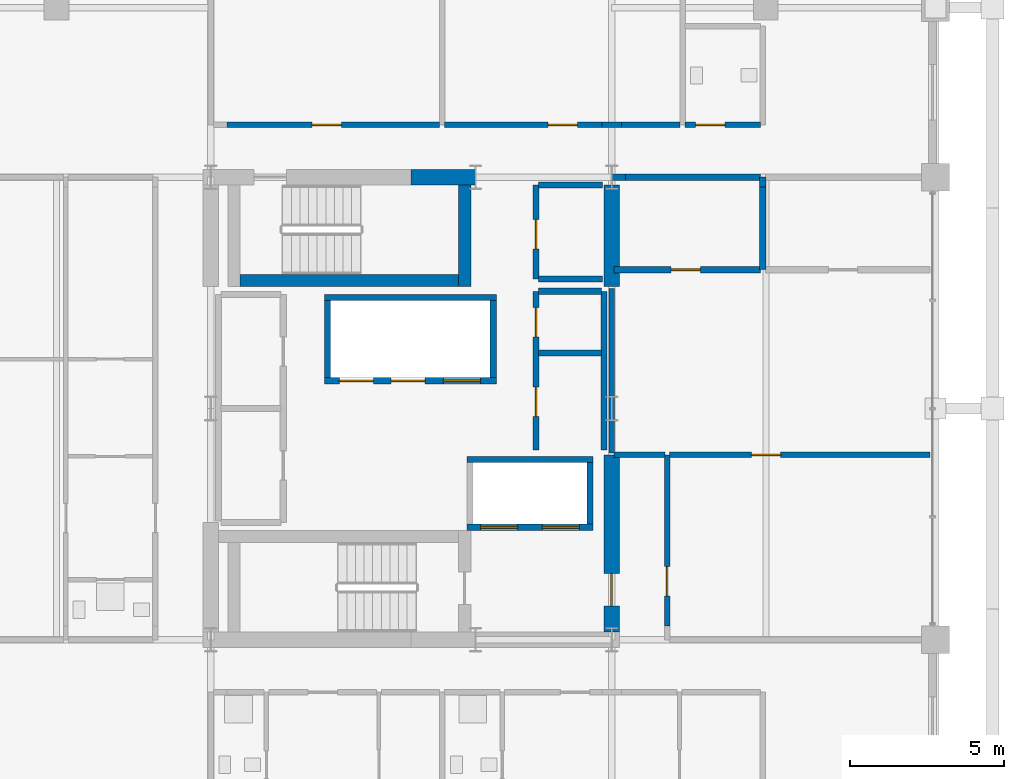
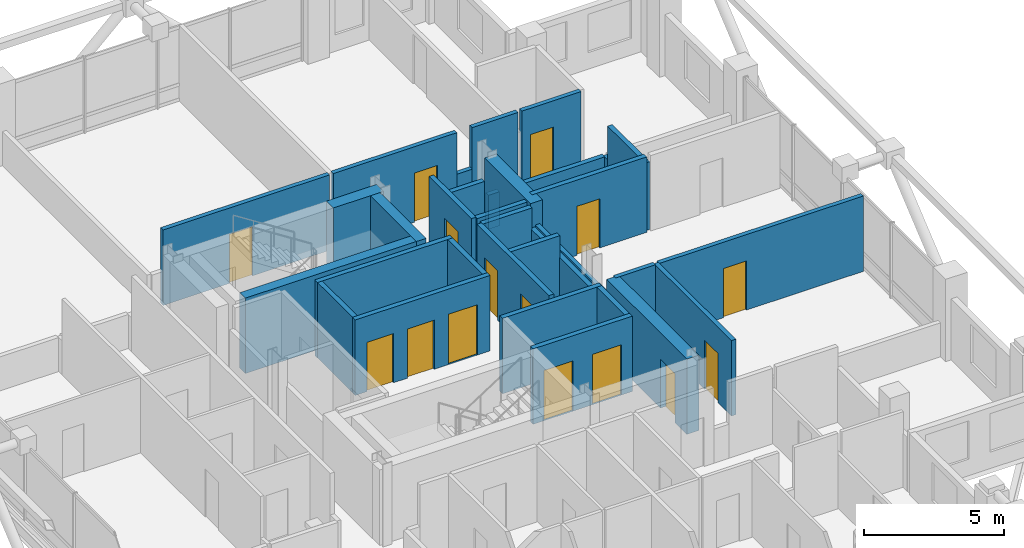
# One storey, part 21 of 25: 33 walls, 15 doors, 15 openings.
"""IFC4 building model written with IfcOpenShell, lengths in metres."""

from ifc_helpers import new_model, si_unit, direction, frame, frame_2d, origin, place, context, subcontext, project, spatial, rectangle, extrude, material, layer, layer_set, type_object, element, fill, save


model = new_model("IFC4")

# Units and contexts
model_context = context("Model", 3, precision=1e-05, world=origin(), true_north=direction((0.0, 1.0)))
body_context = subcontext(model_context, "Body", "Model", "MODEL_VIEW")
ifc_project = project(units=[si_unit("LENGTHUNIT", "METRE"), si_unit("AREAUNIT", "SQUARE_METRE"), si_unit("VOLUMEUNIT", "CUBIC_METRE"), si_unit("PLANEANGLEUNIT", "RADIAN"), si_unit("MASSUNIT", "GRAM", prefix="KILO")], contexts=[model_context])

# Site, building, storey
site_placement = place(None, origin())
site = spatial("IfcSite", under=ifc_project, at=site_placement, CompositionType="ELEMENT")
building_placement = place(site_placement, origin())
building = spatial("IfcBuilding", under=site, at=building_placement, Name="Barlavira Tower and Art Museum", CompositionType="ELEMENT")
storey_placement = place(building_placement, frame((0.0, 0.0, 301.5)))
storey = spatial("IfcBuildingStorey", under=building, at=storey_placement, Name="L79", CompositionType="ELEMENT", Elevation=301.5)

# Wall
ifc_material_1 = material(Name="Concrete C60", Category="concrete")
ifc_layer_1 = layer(ifc_material_1, 0.5, Name="Concrete C60")
ifc_layer_set_1 = layer_set([ifc_layer_1], Name="Concrete C60")
wall_type_1 = type_object("IfcWallType", Name="Core Structural Shear Wall 500 Concrete C60", PredefinedType="SHEAR", material=ifc_layer_set_1)
wall_1_placement = place(storey_placement, frame((0.0, 7.5, 0.0), z_axis=(0.0, 0.0, 1.0), x_axis=(1.0, 0.0, 0.0)))
element("IfcWall", 1, at=wall_1_placement, inside=storey, type_object=wall_type_1, Name="L79 Core Shear Wall CS-EN", PredefinedType="SHEAR", context=body_context, shape_type="SweptSolid", body=[
    extrude(rectangle(XDim=2.080078125, YDim=0.5, at=frame_2d((1.0400390625, 0.0))), origin(), (0.0, 0.0, 1.0), 3.300048828125),
])

# Wall, opening, door
wall_2_placement = place(storey_placement, frame((6.5, -7.25, 0.0), z_axis=(0.0, 0.0, 1.0), x_axis=(0.0, 1.0, 0.0)))
wall_2 = element("IfcWall", 2, at=wall_2_placement, inside=storey, type_object=wall_type_1, Name="L79 Core Shear Wall CS-E1", PredefinedType="SHEAR", context=body_context, shape_type="SweptSolid", body=[
    extrude(rectangle(XDim=5.75, YDim=0.5, at=frame_2d((2.875, 0.0))), origin(), (0.0, 0.0, 1.0), 3.300048828125),
])
opening_1_placement = place(wall_2_placement, frame((0.85009765625, 0.0, 0.0)))
opening_1 = element("IfcOpeningElement", 3, at=opening_1_placement, cuts=wall_2, Name="Opening FD-90", PredefinedType="OPENING", context=body_context, shape_type="SweptSolid", body=[
    extrude(rectangle(XDim=1.050048828125, YDim=2.14990234375, at=frame_2d((0.52490234375, 1.074951171875))), frame((0.0, 0.260009765625, 0.0), z_axis=(0.0, -1.0, 0.0), x_axis=(1.0, 0.0, 0.0)), (0.0, 0.0, 1.0), 0.52001953125),
])
ifc_material_2 = material(Name="Brushed stainless steel", Category="steel")
door_type_1 = type_object("IfcDoorType", Name="Stair and Refuge Fire Door 1050x2150 FD90S", OperationType="NOTDEFINED", PredefinedType="DOOR", material=ifc_material_2)
door_1_placement = place(opening_1_placement, origin())
door_1 = element("IfcDoor", 4, at=door_1_placement, inside=storey, type_object=door_type_1, Name="L79 Firefighting Lobby Entry Fire Door", OperationType="SINGLE_SWING_LEFT", OverallHeight=2.14990234375, OverallWidth=1.050048828125, PredefinedType="DOOR", context=body_context, shape_type="SweptSolid", body=[
    extrude(rectangle(XDim=1.050048828125, YDim=2.14990234375, at=frame_2d((0.52490234375, 1.074951171875))), frame((0.0, 0.02490234375, 0.0), z_axis=(0.0, -1.0, 0.0), x_axis=(1.0, 0.0, 0.0)), (0.0, 0.0, 1.0), 0.050048828125),
])
fill(opening_1, door_1)

# Wall
wall_3_placement = place(storey_placement, frame((6.5, 3.949951171875, 0.0), z_axis=(0.0, 0.0, 1.0), x_axis=(0.0, 1.0, 0.0)))
element("IfcWall", 5, at=wall_3_placement, inside=storey, type_object=wall_type_1, Name="L79 Core Shear Wall CS-E2", PredefinedType="SHEAR", context=body_context, shape_type="SweptSolid", body=[
    extrude(rectangle(XDim=3.300048828125, YDim=0.5, at=frame_2d((1.64990234375, 0.0))), origin(), (0.0, 0.0, 1.0), 3.300048828125),
])

# Wall, openings, doors
ifc_material_3 = material(Name="Autoclaved aerated concrete masonry", Category="masonry")
ifc_layer_2 = layer(ifc_material_3, 0.199951171875, Name="Autoclaved aerated concrete masonry")
ifc_layer_set_2 = layer_set([ifc_layer_2], Name="Autoclaved aerated concrete masonry")
wall_type_2 = type_object("IfcWallType", Name="Fire Compartment and Shaft Wall 200", PredefinedType="SOLIDWALL", material=ifc_layer_set_2)
wall_4_placement = place(storey_placement, frame((-2.820068359375, 0.89990234375, 0.0), z_axis=(0.0, 0.0, 1.0), x_axis=(1.0, 0.0, 0.0)))
wall_4 = element("IfcWall", 6, at=wall_4_placement, inside=storey, type_object=wall_type_2, Name="L79 High-Rise & Service Lift Front Wall", PredefinedType="SOLIDWALL", context=body_context, shape_type="SweptSolid", body=[
    extrude(rectangle(XDim=5.580078125, YDim=0.199951171875, at=frame_2d((2.7900390625, 0.0))), origin(), (0.0, 0.0, 1.0), 3.300048828125),
])
opening_2_placement = place(wall_4_placement, frame((0.489990234375, 0.0, 0.0)))
opening_2 = element("IfcOpeningElement", 7, at=opening_2_placement, cuts=wall_4, Name="Opening LD-P", PredefinedType="OPENING", context=body_context, shape_type="SweptSolid", body=[
    extrude(rectangle(XDim=1.10009765625, YDim=2.14990234375, at=frame_2d((0.550048828125, 1.074951171875))), frame((0.0, 0.10986328125, 0.0), z_axis=(0.0, -1.0, 0.0), x_axis=(1.0, 0.0, 0.0)), (0.0, 0.0, 1.0), 0.219970703125),
])
opening_3_placement = place(wall_4_placement, frame((2.169921875, 0.0, 0.0)))
opening_3 = element("IfcOpeningElement", 8, at=opening_3_placement, cuts=wall_4, Name="Opening LD-P", PredefinedType="OPENING", context=body_context, shape_type="SweptSolid", body=[
    extrude(rectangle(XDim=1.10009765625, YDim=2.14990234375, at=frame_2d((0.550048828125, 1.074951171875))), frame((0.0, 0.10986328125, 0.0), z_axis=(0.0, -1.0, 0.0), x_axis=(1.0, 0.0, 0.0)), (0.0, 0.0, 1.0), 0.219970703125),
])
opening_4_placement = place(wall_4_placement, frame((3.860107421875, 0.0, 0.0)))
opening_4 = element("IfcOpeningElement", 9, at=opening_4_placement, cuts=wall_4, Name="Opening LD-F", PredefinedType="OPENING", context=body_context, shape_type="SweptSolid", body=[
    extrude(rectangle(XDim=1.199951171875, YDim=2.199951171875, at=frame_2d((0.60009765625, 1.10009765625))), frame((0.0, 0.10986328125, 0.0), z_axis=(0.0, -1.0, 0.0), x_axis=(1.0, 0.0, 0.0)), (0.0, 0.0, 1.0), 0.219970703125),
])
door_type_2 = type_object("IfcDoorType", Name="Firefighting and Service Lift Sliding Door 1200x2200 FD120", OperationType="NOTDEFINED", PredefinedType="DOOR", material=ifc_material_2)
door_2_placement = place(opening_4_placement, origin())
door_2 = element("IfcDoor", 10, at=door_2_placement, inside=storey, type_object=door_type_2, Name="L79 Stretcher Service Lift SL1 Sliding Door", OperationType="DOUBLE_DOOR_SLIDING", OverallHeight=2.199951171875, OverallWidth=1.199951171875, PredefinedType="DOOR", context=body_context, shape_type="SweptSolid", body=[
    extrude(rectangle(XDim=1.199951171875, YDim=2.199951171875, at=frame_2d((0.60009765625, 1.10009765625))), frame((0.0, 0.02490234375, 0.0), z_axis=(0.0, -1.0, 0.0), x_axis=(1.0, 0.0, 0.0)), (0.0, 0.0, 1.0), 0.050048828125),
])
fill(opening_4, door_2)
door_type_3 = type_object("IfcDoorType", Name="Passenger Lift Sliding Landing Door 1100x2150 FD60", OperationType="NOTDEFINED", PredefinedType="DOOR", material=ifc_material_2)
door_3_placement = place(opening_2_placement, origin())
door_3 = element("IfcDoor", 11, at=door_3_placement, inside=storey, type_object=door_type_3, Name="L79 Lift PH1 Sliding Landing Door", OperationType="DOUBLE_DOOR_SLIDING", OverallHeight=2.14990234375, OverallWidth=1.10009765625, PredefinedType="DOOR", context=body_context, shape_type="SweptSolid", body=[
    extrude(rectangle(XDim=1.10009765625, YDim=2.14990234375, at=frame_2d((0.550048828125, 1.074951171875))), frame((0.0, 0.02490234375, 0.0), z_axis=(0.0, -1.0, 0.0), x_axis=(1.0, 0.0, 0.0)), (0.0, 0.0, 1.0), 0.050048828125),
])
fill(opening_2, door_3)
door_4_placement = place(opening_3_placement, origin())
door_4 = element("IfcDoor", 12, at=door_4_placement, inside=storey, type_object=door_type_3, Name="L79 Lift PH2 Sliding Landing Door", OperationType="DOUBLE_DOOR_SLIDING", OverallHeight=2.14990234375, OverallWidth=1.10009765625, PredefinedType="DOOR", context=body_context, shape_type="SweptSolid", body=[
    extrude(rectangle(XDim=1.10009765625, YDim=2.14990234375, at=frame_2d((0.550048828125, 1.074951171875))), frame((0.0, 0.02490234375, 0.0), z_axis=(0.0, -1.0, 0.0), x_axis=(1.0, 0.0, 0.0)), (0.0, 0.0, 1.0), 0.050048828125),
])
fill(opening_3, door_4)

# Walls
wall_5_placement = place(storey_placement, frame((-2.820068359375, 3.60009765625, 0.0), z_axis=(0.0, 0.0, 1.0), x_axis=(1.0, 0.0, 0.0)))
element("IfcWall", 13, at=wall_5_placement, inside=storey, type_object=wall_type_2, Name="L79 High-Rise & Service Lift Back Wall", PredefinedType="SOLIDWALL", context=body_context, shape_type="SweptSolid", body=[
    extrude(rectangle(XDim=5.580078125, YDim=0.199951171875, at=frame_2d((2.7900390625, 0.0))), origin(), (0.0, 0.0, 1.0), 3.300048828125),
])
for number, where, z_axis, x_axis, name in (
    (14, (-2.719970703125, 1.0, 0.0), (0.0, 0.0, 1.0), (0.0, 1.0, 0.0), "L79 High-Rise & Service Lift West Wall"),
    (15, (2.659912109375, 1.0, 0.0), (0.0, 0.0, 1.0), (0.0, 1.0, 0.0), "L79 High-Rise & Service Lift East Wall"),
):
    element("IfcWall", number, at=place(storey_placement, frame(where, z_axis=z_axis, x_axis=x_axis)), inside=storey, type_object=wall_type_2, Name=name, PredefinedType="SOLIDWALL", context=body_context, shape_type="SweptSolid", body=[
        extrude(rectangle(XDim=2.5, YDim=0.199951171875, at=frame_2d((1.25, 0.0))), origin(), (0.0, 0.0, 1.0), 3.300048828125),
    ])

# Wall, openings, doors
wall_6_placement = place(storey_placement, frame((1.800048828125, -3.85009765625, 0.0), z_axis=(0.0, 0.0, 1.0), x_axis=(1.0, 0.0, 0.0)))
wall_6 = element("IfcWall", 16, at=wall_6_placement, inside=storey, type_object=wall_type_2, Name="L79 Firefighting Lift Front Shaft Wall", PredefinedType="SOLIDWALL", context=body_context, shape_type="SweptSolid", body=[
    extrude(rectangle(XDim=4.099853515625, YDim=0.199951171875, at=frame_2d((2.0498046875, 0.0))), origin(), (0.0, 0.0, 1.0), 3.300048828125),
])
opening_5_placement = place(wall_6_placement, frame((0.449951171875, 0.0, 0.0)))
opening_5 = element("IfcOpeningElement", 17, at=opening_5_placement, cuts=wall_6, Name="Opening LD-F", PredefinedType="OPENING", context=body_context, shape_type="SweptSolid", body=[
    extrude(rectangle(XDim=1.199951171875, YDim=2.199951171875, at=frame_2d((0.60009765625, 1.10009765625))), frame((0.0, 0.10986328125, 0.0), z_axis=(0.0, -1.0, 0.0), x_axis=(1.0, 0.0, 0.0)), (0.0, 0.0, 1.0), 0.219970703125),
])
opening_6_placement = place(wall_6_placement, frame((2.449951171875, 0.0, 0.0)))
opening_6 = element("IfcOpeningElement", 18, at=opening_6_placement, cuts=wall_6, Name="Opening LD-F", PredefinedType="OPENING", context=body_context, shape_type="SweptSolid", body=[
    extrude(rectangle(XDim=1.199951171875, YDim=2.199951171875, at=frame_2d((0.60009765625, 1.10009765625))), frame((0.0, 0.10986328125, 0.0), z_axis=(0.0, -1.0, 0.0), x_axis=(1.0, 0.0, 0.0)), (0.0, 0.0, 1.0), 0.219970703125),
])
door_5_placement = place(opening_5_placement, origin())
door_5 = element("IfcDoor", 19, at=door_5_placement, inside=storey, type_object=door_type_2, Name="L79 Firefighting Lift FF1 Sliding Door", OperationType="DOUBLE_DOOR_SLIDING", OverallHeight=2.199951171875, OverallWidth=1.199951171875, PredefinedType="DOOR", context=body_context, shape_type="SweptSolid", body=[
    extrude(rectangle(XDim=1.199951171875, YDim=2.199951171875, at=frame_2d((0.60009765625, 1.10009765625))), frame((0.0, 0.02490234375, 0.0), z_axis=(0.0, -1.0, 0.0), x_axis=(1.0, 0.0, 0.0)), (0.0, 0.0, 1.0), 0.050048828125),
])
fill(opening_5, door_5)
door_6_placement = place(opening_6_placement, origin())
door_6 = element("IfcDoor", 20, at=door_6_placement, inside=storey, type_object=door_type_2, Name="L79 Firefighting Lift FF2 Sliding Door", OperationType="DOUBLE_DOOR_SLIDING", OverallHeight=2.199951171875, OverallWidth=1.199951171875, PredefinedType="DOOR", context=body_context, shape_type="SweptSolid", body=[
    extrude(rectangle(XDim=1.199951171875, YDim=2.199951171875, at=frame_2d((0.60009765625, 1.10009765625))), frame((0.0, 0.02490234375, 0.0), z_axis=(0.0, -1.0, 0.0), x_axis=(1.0, 0.0, 0.0)), (0.0, 0.0, 1.0), 0.050048828125),
])
fill(opening_6, door_6)

# Walls
wall_7_placement = place(storey_placement, frame((1.800048828125, -1.64990234375, 0.0), z_axis=(0.0, 0.0, 1.0), x_axis=(1.0, 0.0, 0.0)))
element("IfcWall", 21, at=wall_7_placement, inside=storey, type_object=wall_type_2, Name="L79 Firefighting Lift Back Shaft Wall", PredefinedType="SOLIDWALL", context=body_context, shape_type="SweptSolid", body=[
    extrude(rectangle(XDim=4.099853515625, YDim=0.199951171875, at=frame_2d((2.0498046875, 0.0))), origin(), (0.0, 0.0, 1.0), 3.300048828125),
])
wall_8_placement = place(storey_placement, frame((5.800048828125, -3.75, 0.0), z_axis=(0.0, 0.0, 1.0), x_axis=(0.0, 1.0, 0.0)))
element("IfcWall", 22, at=wall_8_placement, inside=storey, type_object=wall_type_2, Name="L79 Firefighting Lift East Shaft Wall", PredefinedType="SOLIDWALL", context=body_context, shape_type="SweptSolid", body=[
    extrude(rectangle(XDim=2.0, YDim=0.199951171875, at=frame_2d((1.0, 0.0))), origin(), (0.0, 0.0, 1.0), 3.300048828125),
])

# Wall, openings, doors
wall_9_placement = place(storey_placement, frame((4.050048828125, -1.35009765625, 0.0), z_axis=(0.0, 0.0, 1.0), x_axis=(0.0, 1.0, 0.0)))
wall_9 = element("IfcWall", 23, at=wall_9_placement, inside=storey, type_object=wall_type_2, Name="L79 Partition Wall 17", PredefinedType="SOLIDWALL", context=body_context, shape_type="SweptSolid", body=[
    extrude(rectangle(XDim=5.150146484375, YDim=0.199951171875, at=frame_2d((2.5751953125, 0.0))), origin(), (0.0, 0.0, 1.0), 3.300048828125),
])
opening_7_placement = place(wall_9_placement, frame((1.094970703125, 0.0, 0.0)))
opening_7 = element("IfcOpeningElement", 24, at=opening_7_placement, cuts=wall_9, Name="Opening FD-60", PredefinedType="OPENING", context=body_context, shape_type="SweptSolid", body=[
    extrude(rectangle(XDim=0.949951171875, YDim=2.14990234375, at=frame_2d((0.47509765625, 1.074951171875))), frame((0.0, 0.10986328125, 0.0), z_axis=(0.0, -1.0, 0.0), x_axis=(1.0, 0.0, 0.0)), (0.0, 0.0, 1.0), 0.219970703125),
])
opening_8_placement = place(wall_9_placement, frame((3.675048828125, 0.0, 0.0)))
opening_8 = element("IfcOpeningElement", 25, at=opening_8_placement, cuts=wall_9, Name="Opening FD-60", PredefinedType="OPENING", context=body_context, shape_type="SweptSolid", body=[
    extrude(rectangle(XDim=0.949951171875, YDim=2.14990234375, at=frame_2d((0.47509765625, 1.074951171875))), frame((0.0, 0.10986328125, 0.0), z_axis=(0.0, -1.0, 0.0), x_axis=(1.0, 0.0, 0.0)), (0.0, 0.0, 1.0), 0.219970703125),
])
door_type_4 = type_object("IfcDoorType", Name="Apartment Entrance and Riser Fire Door 950x2150 FD60S", OperationType="NOTDEFINED", PredefinedType="DOOR", material=ifc_material_2)
door_7_placement = place(opening_7_placement, origin())
door_7 = element("IfcDoor", 26, at=door_7_placement, inside=storey, type_object=door_type_4, Name="Reclaimed Upper Core IT Hub Door", OperationType="SINGLE_SWING_RIGHT", OverallHeight=2.14990234375, OverallWidth=0.949951171875, PredefinedType="DOOR", context=body_context, shape_type="SweptSolid", body=[
    extrude(rectangle(XDim=0.949951171875, YDim=2.14990234375, at=frame_2d((0.47509765625, 1.074951171875))), frame((0.0, 0.02490234375, 0.0), z_axis=(0.0, -1.0, 0.0), x_axis=(1.0, 0.0, 0.0)), (0.0, 0.0, 1.0), 0.050048828125),
])
fill(opening_7, door_7)
door_8_placement = place(opening_8_placement, origin())
door_8 = element("IfcDoor", 27, at=door_8_placement, inside=storey, type_object=door_type_4, Name="Reclaimed Upper Core Archive Closet Door", OperationType="SINGLE_SWING_LEFT", OverallHeight=2.14990234375, OverallWidth=0.949951171875, PredefinedType="DOOR", context=body_context, shape_type="SweptSolid", body=[
    extrude(rectangle(XDim=0.949951171875, YDim=2.14990234375, at=frame_2d((0.47509765625, 1.074951171875))), frame((0.0, 0.02490234375, 0.0), z_axis=(0.0, -1.0, 0.0), x_axis=(1.0, 0.0, 0.0)), (0.0, 0.0, 1.0), 0.050048828125),
])
fill(opening_8, door_8)

# Wall, opening, door
wall_10_placement = place(storey_placement, frame((4.050048828125, 4.199951171875, 0.0), z_axis=(0.0, 0.0, 1.0), x_axis=(0.0, 1.0, 0.0)))
wall_10 = element("IfcWall", 28, at=wall_10_placement, inside=storey, type_object=wall_type_2, Name="L79 Partition Wall 18", PredefinedType="SOLIDWALL", context=body_context, shape_type="SweptSolid", body=[
    extrude(rectangle(XDim=3.050048828125, YDim=0.199951171875, at=frame_2d((1.52490234375, 0.0))), origin(), (0.0, 0.0, 1.0), 3.300048828125),
])
opening_9_placement = place(wall_10_placement, frame((0.97509765625, 0.0, 0.0)))
opening_9 = element("IfcOpeningElement", 29, at=opening_9_placement, cuts=wall_10, Name="Opening FD-60", PredefinedType="OPENING", context=body_context, shape_type="SweptSolid", body=[
    extrude(rectangle(XDim=0.949951171875, YDim=2.14990234375, at=frame_2d((0.47509765625, 1.074951171875))), frame((0.0, 0.10986328125, 0.0), z_axis=(0.0, -1.0, 0.0), x_axis=(1.0, 0.0, 0.0)), (0.0, 0.0, 1.0), 0.219970703125),
])
door_9_placement = place(opening_9_placement, origin())
door_9 = element("IfcDoor", 30, at=door_9_placement, inside=storey, type_object=door_type_4, Name="Combined Electrical and Telecom Plant Room Door", OperationType="SINGLE_SWING_RIGHT", OverallHeight=2.14990234375, OverallWidth=0.949951171875, PredefinedType="DOOR", context=body_context, shape_type="SweptSolid", body=[
    extrude(rectangle(XDim=0.949951171875, YDim=2.14990234375, at=frame_2d((0.47509765625, 1.074951171875))), frame((0.0, 0.02490234375, 0.0), z_axis=(0.0, -1.0, 0.0), x_axis=(1.0, 0.0, 0.0)), (0.0, 0.0, 1.0), 0.050048828125),
])
fill(opening_9, door_9)

# Walls
wall_11_placement = place(storey_placement, frame((6.25, -1.35009765625, 0.0), z_axis=(0.0, 0.0, 1.0), x_axis=(0.0, 1.0, 0.0)))
element("IfcWall", 31, at=wall_11_placement, inside=storey, type_object=wall_type_2, Name="L79 Partition Wall 20", PredefinedType="SOLIDWALL", context=body_context, shape_type="SweptSolid", body=[
    extrude(rectangle(XDim=5.150146484375, YDim=0.199951171875, at=frame_2d((2.5751953125, 0.0))), origin(), (0.0, 0.0, 1.0), 2.35302734375),
])
wall_12_placement = place(storey_placement, frame((11.39990234375, 4.5, 0.0), z_axis=(0.0, 0.0, 1.0), x_axis=(0.0, 1.0, 0.0)))
element("IfcWall", 32, at=wall_12_placement, inside=storey, type_object=wall_type_2, Name="L79 Partition Wall 27", PredefinedType="SOLIDWALL", context=body_context, shape_type="SweptSolid", body=[
    extrude(rectangle(XDim=2.68505859375, YDim=0.199951171875, at=frame_2d((1.342529296875, 0.0))), origin(), (0.0, 0.0, 1.0), 2.968017578125),
])
wall_13_placement = place(storey_placement, frame((11.39990234375, 7.18505859375, 0.0), z_axis=(0.0, 0.0, 1.0), x_axis=(0.0, 1.0, 0.0)))
element("IfcWall", 33, at=wall_13_placement, inside=storey, type_object=wall_type_2, Name="L79 Partition Wall 28", PredefinedType="SOLIDWALL", context=body_context, shape_type="SweptSolid", body=[
    extrude(rectangle(XDim=0.31494140625, YDim=0.199951171875, at=frame_2d((0.157470703125, 0.0))), origin(), (0.0, 0.0, 1.0), 1.485107421875),
])
for number, where, z_axis, x_axis, name in (
    (34, (4.1298828125, 1.800048828125, 0.0), (0.0, 0.0, 1.0), (1.0, 0.0, 0.0), "L79 Partition Wall 61"),
    (35, (4.1298828125, 3.800048828125, 0.0), (0.0, 0.0, 1.0), (1.0, 0.0, 0.0), "L79 Partition Wall 63"),
):
    element("IfcWall", number, at=place(storey_placement, frame(where, z_axis=z_axis, x_axis=x_axis)), inside=storey, type_object=wall_type_2, Name=name, PredefinedType="SOLIDWALL", context=body_context, shape_type="SweptSolid", body=[
        extrude(rectangle(XDim=2.0400390625, YDim=0.199951171875, at=frame_2d((1.02001953125, 0.0))), origin(), (0.0, 0.0, 1.0), 3.300048828125),
    ])
wall_14_placement = place(storey_placement, frame((4.1298828125, 4.199951171875, 0.0), z_axis=(0.0, 0.0, 1.0), x_axis=(1.0, 0.0, 0.0)))
element("IfcWall", 36, at=wall_14_placement, inside=storey, type_object=wall_type_2, Name="L79 Partition Wall 64", PredefinedType="SOLIDWALL", context=body_context, shape_type="SweptSolid", body=[
    extrude(rectangle(XDim=2.070068359375, YDim=0.199951171875, at=frame_2d((1.03515625, 0.0))), origin(), (0.0, 0.0, 1.0), 3.300048828125),
])

# Wall, opening, door
wall_15_placement = place(storey_placement, frame((6.580078125, 4.5, 0.0), z_axis=(0.0, 0.0, 1.0), x_axis=(1.0, 0.0, 0.0)))
wall_15 = element("IfcWall", 37, at=wall_15_placement, inside=storey, type_object=wall_type_2, Name="L79 Partition Wall 65", PredefinedType="SOLIDWALL", context=body_context, shape_type="SweptSolid", body=[
    extrude(rectangle(XDim=4.739990234375, YDim=0.199951171875, at=frame_2d((2.3701171875, 0.0))), origin(), (0.0, 0.0, 1.0), 3.300048828125),
])
opening_10_placement = place(wall_15_placement, frame((1.844970703125, 0.0, 0.0)))
opening_10 = element("IfcOpeningElement", 38, at=opening_10_placement, cuts=wall_15, Name="Opening FD-60", PredefinedType="OPENING", context=body_context, shape_type="SweptSolid", body=[
    extrude(rectangle(XDim=0.949951171875, YDim=2.14990234375, at=frame_2d((0.47509765625, 1.074951171875))), frame((0.0, 0.10986328125, 0.0), z_axis=(0.0, -1.0, 0.0), x_axis=(1.0, 0.0, 0.0)), (0.0, 0.0, 1.0), 0.219970703125),
])
door_10_placement = place(opening_10_placement, origin())
door_10 = element("IfcDoor", 39, at=door_10_placement, inside=storey, type_object=door_type_4, Name="Shared Espresso Pantry Door", OperationType="SINGLE_SWING_RIGHT", OverallHeight=2.14990234375, OverallWidth=0.949951171875, PredefinedType="DOOR", context=body_context, shape_type="SweptSolid", body=[
    extrude(rectangle(XDim=0.949951171875, YDim=2.14990234375, at=frame_2d((0.47509765625, 1.074951171875))), frame((0.0, 0.02490234375, 0.0), z_axis=(0.0, -1.0, 0.0), x_axis=(1.0, 0.0, 0.0)), (0.0, 0.0, 1.0), 0.050048828125),
])
fill(opening_10, door_10)

# Walls
wall_16_placement = place(storey_placement, frame((4.1298828125, 7.25, 0.0), z_axis=(0.0, 0.0, 1.0), x_axis=(1.0, 0.0, 0.0)))
element("IfcWall", 40, at=wall_16_placement, inside=storey, type_object=wall_type_2, Name="L79 Partition Wall 67", PredefinedType="SOLIDWALL", context=body_context, shape_type="SweptSolid", body=[
    extrude(rectangle(XDim=2.070068359375, YDim=0.199951171875, at=frame_2d((1.03515625, 0.0))), origin(), (0.0, 0.0, 1.0), 2.35302734375),
])
wall_17_placement = place(storey_placement, frame((6.5, 7.5, 0.0), z_axis=(0.0, 0.0, 1.0), x_axis=(1.0, 0.0, 0.0)))
element("IfcWall", 41, at=wall_17_placement, inside=storey, type_object=wall_type_2, Name="L79 Partition Wall 70", PredefinedType="SOLIDWALL", context=body_context, shape_type="SweptSolid", body=[
    extrude(rectangle(XDim=0.449951171875, YDim=0.199951171875, at=frame_2d((0.22509765625, 0.0))), origin(), (0.0, 0.0, 1.0), 1.485107421875),
])
wall_18_placement = place(storey_placement, frame((6.949951171875, 7.5, 0.0), z_axis=(0.0, 0.0, 1.0), x_axis=(1.0, 0.0, 0.0)))
element("IfcWall", 42, at=wall_18_placement, inside=storey, type_object=wall_type_2, Name="L79 Partition Wall 71", PredefinedType="SOLIDWALL", context=body_context, shape_type="SweptSolid", body=[
    extrude(rectangle(XDim=4.3701171875, YDim=0.199951171875, at=frame_2d((2.18505859375, 0.0))), origin(), (0.0, 0.0, 1.0), 1.485107421875),
])
ifc_material_4 = material(Name="Gypsum acoustic stud partition", Category="gypsum")
ifc_layer_3 = layer(ifc_material_4, 0.179931640625, Name="Gypsum acoustic stud partition")
ifc_layer_set_3 = layer_set([ifc_layer_3], Name="Gypsum acoustic stud partition")
wall_type_3 = type_object("IfcWallType", Name="Inter-Tenancy Party Partition Wall 180", PredefinedType="PARTITIONING", material=ifc_layer_set_3)
wall_19_placement = place(storey_placement, frame((6.5, -1.43994140625, 0.0), z_axis=(0.0, 0.0, 1.0), x_axis=(0.0, 1.0, 0.0)))
element("IfcWall", 43, at=wall_19_placement, inside=storey, type_object=wall_type_3, Name="L79 Partition Wall 21", PredefinedType="PARTITIONING", context=body_context, shape_type="SweptSolid", body=[
    extrude(rectangle(XDim=5.329833984375, YDim=0.179931640625, at=frame_2d((2.6650390625, 0.0))), origin(), (0.0, 0.0, 1.0), 2.35302734375),
])

# Wall, opening, door
wall_20_placement = place(storey_placement, frame((8.300048828125, -7.050048828125, 0.0), z_axis=(0.0, 0.0, 1.0), x_axis=(0.0, 1.0, 0.0)))
wall_20 = element("IfcWall", 44, at=wall_20_placement, inside=storey, type_object=wall_type_3, Name="L79 Partition Wall 23", PredefinedType="PARTITIONING", context=body_context, shape_type="SweptSolid", body=[
    extrude(rectangle(XDim=5.550048828125, YDim=0.179931640625, at=frame_2d((2.77490234375, 0.0))), origin(), (0.0, 0.0, 1.0), 3.300048828125),
])
opening_11_placement = place(wall_20_placement, frame((0.97509765625, 0.0, 0.0)))
opening_11 = element("IfcOpeningElement", 45, at=opening_11_placement, cuts=wall_20, Name="Opening FD-60", PredefinedType="OPENING", context=body_context, shape_type="SweptSolid", body=[
    extrude(rectangle(XDim=0.949951171875, YDim=2.14990234375, at=frame_2d((0.47509765625, 1.074951171875))), frame((0.0, 0.10009765625, 0.0), z_axis=(0.0, -1.0, 0.0), x_axis=(1.0, 0.0, 0.0)), (0.0, 0.0, 1.0), 0.199951171875),
])
door_11_placement = place(opening_11_placement, origin())
door_11 = element("IfcDoor", 46, at=door_11_placement, inside=storey, type_object=door_type_4, Name="Resident Sky Coworking Studio Door", OperationType="SINGLE_SWING_RIGHT", OverallHeight=2.14990234375, OverallWidth=0.949951171875, PredefinedType="DOOR", context=body_context, shape_type="SweptSolid", body=[
    extrude(rectangle(XDim=0.949951171875, YDim=2.14990234375, at=frame_2d((0.47509765625, 1.074951171875))), frame((0.0, 0.02490234375, 0.0), z_axis=(0.0, -1.0, 0.0), x_axis=(1.0, 0.0, 0.0)), (0.0, 0.0, 1.0), 0.050048828125),
])
fill(opening_11, door_11)

# Wall
wall_21_placement = place(storey_placement, frame((6.580078125, -1.5, 0.0), z_axis=(0.0, 0.0, 1.0), x_axis=(1.0, 0.0, 0.0)))
element("IfcWall", 47, at=wall_21_placement, inside=storey, type_object=wall_type_3, Name="L79 Partition Wall 56", PredefinedType="PARTITIONING", context=body_context, shape_type="SweptSolid", body=[
    extrude(rectangle(XDim=1.639892578125, YDim=0.179931640625, at=frame_2d((0.81982421875, 0.0))), origin(), (0.0, 0.0, 1.0), 3.300048828125),
])

# Wall, opening, door
wall_22_placement = place(storey_placement, frame((8.3798828125, -1.5, 0.0), z_axis=(0.0, 0.0, 1.0), x_axis=(1.0, 0.0, 0.0)))
wall_22 = element("IfcWall", 48, at=wall_22_placement, inside=storey, type_object=wall_type_3, Name="L79 Partition Wall 57", PredefinedType="PARTITIONING", context=body_context, shape_type="SweptSolid", body=[
    extrude(rectangle(XDim=8.440185546875, YDim=0.179931640625, at=frame_2d((4.22021484375, 0.0))), origin(), (0.0, 0.0, 1.0), 3.300048828125),
])
opening_12_placement = place(wall_22_placement, frame((2.64501953125, 0.0, 0.0)))
opening_12 = element("IfcOpeningElement", 49, at=opening_12_placement, cuts=wall_22, Name="Opening FD-60", PredefinedType="OPENING", context=body_context, shape_type="SweptSolid", body=[
    extrude(rectangle(XDim=0.949951171875, YDim=2.14990234375, at=frame_2d((0.47509765625, 1.074951171875))), frame((0.0, 0.10009765625, 0.0), z_axis=(0.0, -1.0, 0.0), x_axis=(1.0, 0.0, 0.0)), (0.0, 0.0, 1.0), 0.199951171875),
])
door_12_placement = place(opening_12_placement, origin())
door_12 = element("IfcDoor", 50, at=door_12_placement, inside=storey, type_object=door_type_4, Name="Private Coastal Dining Salon Door", OperationType="SINGLE_SWING_LEFT", OverallHeight=2.14990234375, OverallWidth=0.949951171875, PredefinedType="DOOR", context=body_context, shape_type="SweptSolid", body=[
    extrude(rectangle(XDim=0.949951171875, YDim=2.14990234375, at=frame_2d((0.47509765625, 1.074951171875))), frame((0.0, 0.02490234375, 0.0), z_axis=(0.0, -1.0, 0.0), x_axis=(1.0, 0.0, 0.0)), (0.0, 0.0, 1.0), 0.050048828125),
])
fill(opening_12, door_12)

wall_23_placement = place(storey_placement, frame((-5.969970703125, 9.199951171875, 0.0), z_axis=(0.0, 0.0, 1.0), x_axis=(1.0, 0.0, 0.0)))
wall_23 = element("IfcWall", 51, at=wall_23_placement, inside=storey, type_object=wall_type_3, Name="L79 Partition Wall 74", PredefinedType="PARTITIONING", context=body_context, shape_type="SweptSolid", body=[
    extrude(rectangle(XDim=6.889892578125, YDim=0.179931640625, at=frame_2d((3.44482421875, 0.0))), origin(), (0.0, 0.0, 1.0), 3.300048828125),
])
opening_13_placement = place(wall_23_placement, frame((2.7548828125, 0.0, 0.0)))
opening_13 = element("IfcOpeningElement", 52, at=opening_13_placement, cuts=wall_23, Name="Opening FD-60", PredefinedType="OPENING", context=body_context, shape_type="SweptSolid", body=[
    extrude(rectangle(XDim=0.949951171875, YDim=2.14990234375, at=frame_2d((0.47509765625, 1.074951171875))), frame((0.0, 0.10009765625, 0.0), z_axis=(0.0, -1.0, 0.0), x_axis=(1.0, 0.0, 0.0)), (0.0, 0.0, 1.0), 0.199951171875),
])
door_13_placement = place(opening_13_placement, origin())
door_13 = element("IfcDoor", 53, at=door_13_placement, inside=storey, type_object=door_type_4, Name="Resident Ocean-View Fitness Studio Door", OperationType="SINGLE_SWING_RIGHT", OverallHeight=2.14990234375, OverallWidth=0.949951171875, PredefinedType="DOOR", context=body_context, shape_type="SweptSolid", body=[
    extrude(rectangle(XDim=0.949951171875, YDim=2.14990234375, at=frame_2d((0.47509765625, 1.074951171875))), frame((0.0, 0.02490234375, 0.0), z_axis=(0.0, -1.0, 0.0), x_axis=(1.0, 0.0, 0.0)), (0.0, 0.0, 1.0), 0.050048828125),
])
fill(opening_13, door_13)

wall_24_placement = place(storey_placement, frame((1.080078125, 9.199951171875, 0.0), z_axis=(0.0, 0.0, 1.0), x_axis=(1.0, 0.0, 0.0)))
wall_24 = element("IfcWall", 54, at=wall_24_placement, inside=storey, type_object=wall_type_3, Name="L79 Partition Wall 75", PredefinedType="PARTITIONING", context=body_context, shape_type="SweptSolid", body=[
    extrude(rectangle(XDim=5.10498046875, YDim=0.179931640625, at=frame_2d((2.552490234375, 0.0))), origin(), (0.0, 0.0, 1.0), 3.300048828125),
])
opening_14_placement = place(wall_24_placement, frame((3.35498046875, 0.0, 0.0)))
opening_14 = element("IfcOpeningElement", 55, at=opening_14_placement, cuts=wall_24, Name="Opening FD-60", PredefinedType="OPENING", context=body_context, shape_type="SweptSolid", body=[
    extrude(rectangle(XDim=0.949951171875, YDim=2.14990234375, at=frame_2d((0.47509765625, 1.074951171875))), frame((0.0, 0.10009765625, 0.0), z_axis=(0.0, -1.0, 0.0), x_axis=(1.0, 0.0, 0.0)), (0.0, 0.0, 1.0), 0.199951171875),
])
door_14_placement = place(opening_14_placement, origin())
door_14 = element("IfcDoor", 56, at=door_14_placement, inside=storey, type_object=door_type_4, Name="Coastal Hydrotherapy and Yoga Lounge Door", OperationType="SINGLE_SWING_LEFT", OverallHeight=2.14990234375, OverallWidth=0.949951171875, PredefinedType="DOOR", context=body_context, shape_type="SweptSolid", body=[
    extrude(rectangle(XDim=0.949951171875, YDim=2.14990234375, at=frame_2d((0.47509765625, 1.074951171875))), frame((0.0, 0.02490234375, 0.0), z_axis=(0.0, -1.0, 0.0), x_axis=(1.0, 0.0, 0.0)), (0.0, 0.0, 1.0), 0.050048828125),
])
fill(opening_14, door_14)

# Walls
wall_25_placement = place(storey_placement, frame((6.18505859375, 9.199951171875, 0.0), z_axis=(0.0, 0.0, 1.0), x_axis=(1.0, 0.0, 0.0)))
element("IfcWall", 57, at=wall_25_placement, inside=storey, type_object=wall_type_3, Name="L79 Partition Wall 76", PredefinedType="PARTITIONING", context=body_context, shape_type="SweptSolid", body=[
    extrude(rectangle(XDim=0.6298828125, YDim=0.179931640625, at=frame_2d((0.31494140625, 0.0))), origin(), (0.0, 0.0, 1.0), 1.485107421875),
])
wall_26_placement = place(storey_placement, frame((6.81494140625, 9.199951171875, 0.0), z_axis=(0.0, 0.0, 1.0), x_axis=(1.0, 0.0, 0.0)))
element("IfcWall", 58, at=wall_26_placement, inside=storey, type_object=wall_type_3, Name="L79 Partition Wall 77", PredefinedType="PARTITIONING", context=body_context, shape_type="SweptSolid", body=[
    extrude(rectangle(XDim=1.905029296875, YDim=0.179931640625, at=frame_2d((0.95263671875, 0.0))), origin(), (0.0, 0.0, 1.0), 3.300048828125),
])

# Wall, opening, door
wall_27_placement = place(storey_placement, frame((8.8798828125, 9.199951171875, 0.0), z_axis=(0.0, 0.0, 1.0), x_axis=(1.0, 0.0, 0.0)))
wall_27 = element("IfcWall", 59, at=wall_27_placement, inside=storey, type_object=wall_type_3, Name="L79 Partition Wall 78", PredefinedType="PARTITIONING", context=body_context, shape_type="SweptSolid", body=[
    extrude(rectangle(XDim=2.440185546875, YDim=0.179931640625, at=frame_2d((1.22021484375, 0.0))), origin(), (0.0, 0.0, 1.0), 3.300048828125),
])
opening_15_placement = place(wall_27_placement, frame((0.344970703125, 0.0, 0.0)))
opening_15 = element("IfcOpeningElement", 60, at=opening_15_placement, cuts=wall_27, Name="Opening FD-60", PredefinedType="OPENING", context=body_context, shape_type="SweptSolid", body=[
    extrude(rectangle(XDim=0.949951171875, YDim=2.14990234375, at=frame_2d((0.47509765625, 1.074951171875))), frame((0.0, 0.10009765625, 0.0), z_axis=(0.0, -1.0, 0.0), x_axis=(1.0, 0.0, 0.0)), (0.0, 0.0, 1.0), 0.199951171875),
])
door_15_placement = place(opening_15_placement, origin())
door_15 = element("IfcDoor", 61, at=door_15_placement, inside=storey, type_object=door_type_4, Name="Wellness Changing and Accessible Shower WC Door", OperationType="SINGLE_SWING_RIGHT", OverallHeight=2.14990234375, OverallWidth=0.949951171875, PredefinedType="DOOR", context=body_context, shape_type="SweptSolid", body=[
    extrude(rectangle(XDim=0.949951171875, YDim=2.14990234375, at=frame_2d((0.47509765625, 1.074951171875))), frame((0.0, 0.02490234375, 0.0), z_axis=(0.0, -1.0, 0.0), x_axis=(1.0, 0.0, 0.0)), (0.0, 0.0, 1.0), 0.050048828125),
])
fill(opening_15, door_15)

# Walls
ifc_material_5 = material(Name="Concrete C55", Category="concrete")
ifc_layer_4 = layer(ifc_material_5, 0.39990234375, Name="Concrete C55")
ifc_layer_set_4 = layer_set([ifc_layer_4], Name="Concrete C55")
wall_type_4 = type_object("IfcWallType", Name="Upper Core Shear Wall 400 Concrete C55", PredefinedType="SHEAR", material=ifc_layer_set_4)
wall_28_placement = place(storey_placement, frame((-5.550048828125, 4.14990234375, 0.0), z_axis=(0.0, 0.0, 1.0), x_axis=(1.0, 0.0, 0.0)))
element("IfcWall", 62, at=wall_28_placement, inside=storey, type_object=wall_type_4, Name="L79 ST-T2 South Shaft Wall", PredefinedType="SHEAR", context=body_context, shape_type="SweptSolid", body=[
    extrude(rectangle(XDim=7.080078125, YDim=0.39990234375, at=frame_2d((3.5400390625, 0.0))), origin(), (0.0, 0.0, 1.0), 3.300048828125),
])
wall_29_placement = place(storey_placement, frame((1.72998046875, 3.949951171875, 0.0), z_axis=(0.0, 0.0, 1.0), x_axis=(0.0, 1.0, 0.0)))
element("IfcWall", 63, at=wall_29_placement, inside=storey, type_object=wall_type_4, Name="L79 ST-T2 East Half-Landing Wall", PredefinedType="SHEAR", context=body_context, shape_type="SweptSolid", body=[
    extrude(rectangle(XDim=3.300048828125, YDim=0.39990234375, at=frame_2d((1.64990234375, 0.0))), origin(), (0.0, 0.0, 1.0), 3.300048828125),
])

save(model, "model.ifc")
